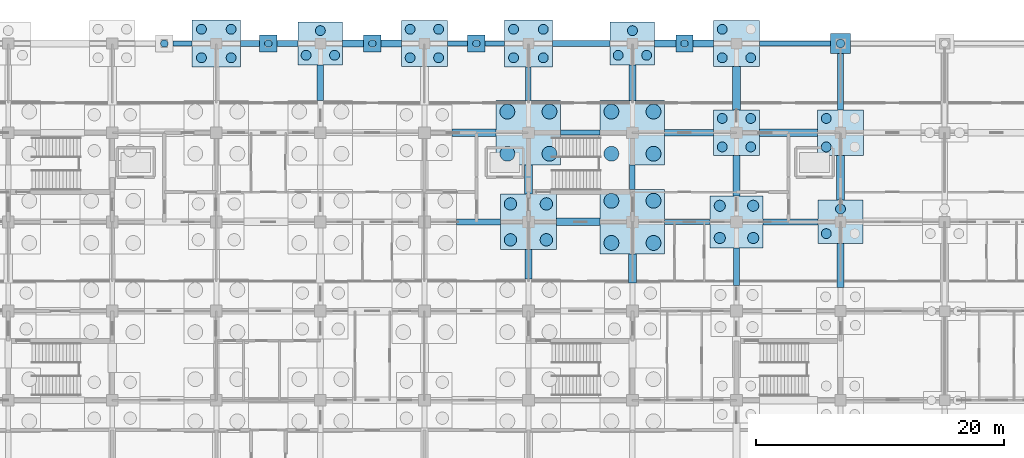
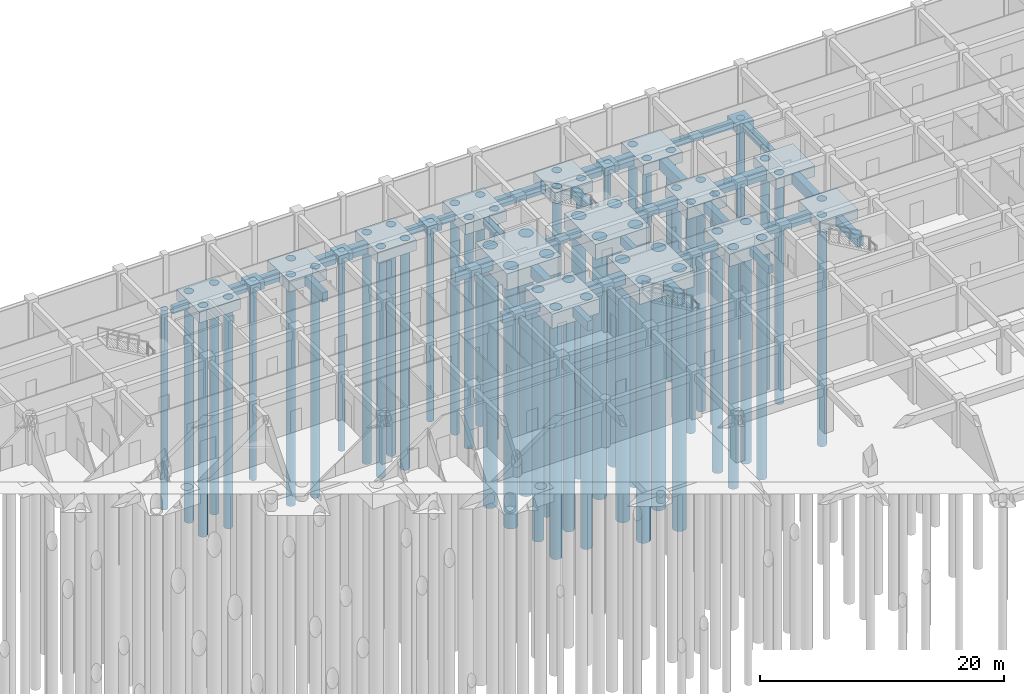
# One storey, part 12 of 85: 55 piles, 51 footings.
"""IFC4 building model written with IfcOpenShell, lengths in metres."""

import ifcopenshell
import ifcopenshell.guid

model = None  # the IFC model being written
_history = None  # IfcOwnerHistory: only IFC2X3 demands one
_inside = {}  # id of a spatial element -> (the spatial element, [elements in it])
_under = {}  # id of a project, library or spatial element -> (it, [spatial elements below it])
_declared = {}  # id of a project -> (the project, [libraries it declares])
_typed = {}  # id of a type object -> (the type object, [elements of that type])
_made_of = {}  # id of a material, layer set ... -> (it, [elements and type objects made of it])


def new_model(schema):
    """Start an empty IFC model of exactly this schema.

    Asked for "IFC4X3", IfcOpenShell would pick the latest addendum, in which some entities
    have other attributes; the version numbers below select the first issue.
    IFC2X3 requires an IfcOwnerHistory on every rooted entity: one is made here for all.
    """
    global model, _history
    if schema == "IFC4X3":
        model = ifcopenshell.file(schema_version=(4, 3, 0, 0))
    else:
        model = ifcopenshell.file(schema=schema)
    _inside.clear()
    _under.clear()
    _declared.clear()
    _typed.clear()
    _made_of.clear()
    _history = None
    if model.schema == "IFC2X3":
        org = make("IfcOrganization", Name="unknown")
        user = make(
            "IfcPersonAndOrganization",
            ThePerson=make("IfcPerson", FamilyName="unknown"),
            TheOrganization=org,
        )
        app = make(
            "IfcApplication",
            ApplicationDeveloper=org,
            Version="unknown",
            ApplicationFullName="unknown",
            ApplicationIdentifier="unknown",
        )
        _history = make(
            "IfcOwnerHistory",
            OwningUser=user,
            OwningApplication=app,
            ChangeAction="ADDED",
            CreationDate=0,
        )
    return model


def make(cls, **values):
    """One entity of the class cls with the attributes given. An attribute that is None is left unset."""
    return model.create_entity(
        cls, **{name: value for name, value in values.items() if value is not None}
    )


def rooted(cls, **values):
    """An entity with a GlobalId (a new one), such as an element, a storey or a relation."""
    return make(cls, GlobalId=ifcopenshell.guid.new(), OwnerHistory=_history, **values)


def si_unit(unit_type, name, prefix=None):
    """IfcSIUnit, for example si_unit("LENGTHUNIT", "METRE", prefix="MILLI")."""
    return make("IfcSIUnit", UnitType=unit_type, Prefix=prefix, Name=name)


def assignment(units):
    """IfcUnitAssignment: the units of a project."""
    return None if units is None else make("IfcUnitAssignment", Units=units)


def point(xyz):
    """IfcCartesianPoint."""
    return None if xyz is None else make("IfcCartesianPoint", Coordinates=xyz)


def direction(xyz):
    """IfcDirection."""
    return None if xyz is None else make("IfcDirection", DirectionRatios=xyz)


def frame(location, z_axis=None, x_axis=None):
    """IfcAxis2Placement3D, a coordinate frame: its origin and axes. An axis left out is left unset."""
    return make(
        "IfcAxis2Placement3D",
        Location=point(location),
        Axis=direction(z_axis),
        RefDirection=direction(x_axis),
    )


def frame_2d(location, x_axis=None):
    """IfcAxis2Placement2D, a coordinate frame in the plane: its origin and x axis."""
    return make(
        "IfcAxis2Placement2D", Location=point(location), RefDirection=direction(x_axis)
    )


def origin():
    """The frame at (0, 0, 0) with its axes left unset."""
    return frame((0.0, 0.0, 0.0))


def origin_2d():
    """The frame at (0, 0) in the plane with its x axis left unset."""
    return frame_2d((0.0, 0.0))


def place(relative_to, where):
    """IfcLocalPlacement: puts the frame where relative to a parent placement (None: the world)."""
    return make(
        "IfcLocalPlacement", PlacementRelTo=relative_to, RelativePlacement=where
    )


def context(
    kind, dimensions, precision=None, world=None, true_north=None, identifier=None
):
    """IfcGeometricRepresentationContext, for example the 3D "Model" context."""
    return make(
        "IfcGeometricRepresentationContext",
        ContextIdentifier=identifier,
        ContextType=kind,
        CoordinateSpaceDimension=dimensions,
        Precision=precision,
        WorldCoordinateSystem=world,
        TrueNorth=true_north,
    )


def subcontext(parent, identifier, kind, view, scale=None):
    """IfcGeometricRepresentationSubContext, for example "Body" below "Model"."""
    return make(
        "IfcGeometricRepresentationSubContext",
        ContextIdentifier=identifier,
        ContextType=kind,
        ParentContext=parent,
        TargetScale=scale,
        TargetView=view,
    )


def project(units=None, contexts=None):
    """IfcProject with its units and contexts."""
    return rooted(
        "IfcProject",
        Name="project",
        RepresentationContexts=contexts,
        UnitsInContext=assignment(units),
    )


def spatial(cls, under=None, at=None, **own):
    """A site, building, storey or space (cls), placed at a placement, below another one or the project."""
    s = rooted(cls, ObjectPlacement=at, **own)
    if under is not None:
        _under.setdefault(under.id(), (under, []))[1].append(s)
    return s


def profile(cls, at=None, kind="AREA", **sizes):
    """A parametric profile (cls). Its sizes go by their IFC names, for example OverallWidth=200.0."""
    return make(cls, ProfileType=kind, Position=at, **sizes)


def rectangle(**sizes):
    """IfcRectangleProfileDef."""
    return profile("IfcRectangleProfileDef", **sizes)


def circle(**sizes):
    """IfcCircleProfileDef."""
    return profile("IfcCircleProfileDef", **sizes)


def extrude(swept, where, along, depth):
    """IfcExtrudedAreaSolid: the profile swept, set in the frame where, extruded along a direction by depth."""
    return make(
        "IfcExtrudedAreaSolid",
        SweptArea=swept,
        Position=where,
        ExtrudedDirection=direction(along),
        Depth=depth,
    )


def shape(context_of_items, identifier, shape_type, items):
    """IfcShapeRepresentation: the items that make up one representation, for example the "Body"."""
    return make(
        "IfcShapeRepresentation",
        ContextOfItems=context_of_items,
        RepresentationIdentifier=identifier,
        RepresentationType=shape_type,
        Items=items,
    )


def material(Name=None, Category=None):
    """IfcMaterial."""
    return make("IfcMaterial", Name=Name, Category=Category)


def material_profile(
    of_material, cross_section, Name=None, Category=None, Priority=None
):
    """IfcMaterialProfile: a cross section and its material."""
    return make(
        "IfcMaterialProfile",
        Name=Name,
        Material=of_material,
        Profile=cross_section,
        Priority=Priority,
        Category=Category,
    )


def profile_set(profiles, Name=None, composite=None):
    """IfcMaterialProfileSet."""
    return make(
        "IfcMaterialProfileSet",
        Name=Name,
        MaterialProfiles=profiles,
        CompositeProfile=composite,
    )


def made_of(thing, what):
    """Note that an element or type object is made of a material, layer set ...; save() writes the relation."""
    if what is not None:
        _made_of.setdefault(what.id(), (what, []))[1].append(thing)
    return thing


def type_object(cls, material=None, **own):
    """A type object (cls), such as IfcWallType, which elements share."""
    return made_of(rooted(cls, **own), material)


def element(
    cls,
    number,
    at=None,
    inside=None,
    cuts=None,
    type_object=None,
    material=None,
    context=None,
    identifier="Body",
    shape_type=None,
    held_by="IfcProductDefinitionShape",
    body=None,
    shapes=None,
    **own,
):
    """One element of the class cls, such as IfcWall. Its Tag is "e" and its number.

    at: its placement. inside: the storey or other place that contains it. cuts: it is an
    opening in that element (IfcRelVoidsElement). A single representation is given by context,
    identifier, shape_type and body (its items); several are given by shapes. held_by: the class
    of the entity that holds the representations. save() writes the other relations.
    """
    e = rooted(cls, Tag="e%d" % number, ObjectPlacement=at, **own)
    if body is not None:
        shapes = [shape(context, identifier, shape_type, body)]
    if shapes is not None:
        e.Representation = make(held_by, Representations=shapes)
    if inside is not None:
        _inside.setdefault(inside.id(), (inside, []))[1].append(e)
    if cuts is not None:
        rooted(
            "IfcRelVoidsElement", RelatingBuildingElement=cuts, RelatedOpeningElement=e
        )
    if type_object is not None:
        _typed.setdefault(type_object.id(), (type_object, []))[1].append(e)
    return made_of(e, material)


def aggregate(whole, parts):
    """IfcRelAggregates: a whole, such as a stair, and the parts it consists of."""
    return rooted("IfcRelAggregates", RelatingObject=whole, RelatedObjects=parts)


def save(model, path):
    """Write the relations noted so far, then the file.

    IfcRelAggregates (storeys below a building ...), IfcRelContainedInSpatialStructure (elements
    in a storey), IfcRelDefinesByType, IfcRelAssociatesMaterial and IfcRelDeclares: one each for
    every whole, place, type object, material and project.
    """
    for whole, parts in _under.values():
        aggregate(whole, parts)
    for where, things in _inside.values():
        rooted(
            "IfcRelContainedInSpatialStructure",
            RelatedElements=things,
            RelatingStructure=where,
        )
    for kind, things in _typed.values():
        rooted("IfcRelDefinesByType", RelatedObjects=things, RelatingType=kind)
    for what, things in _made_of.values():
        rooted("IfcRelAssociatesMaterial", RelatedObjects=things, RelatingMaterial=what)
    for by, libraries in _declared.values():
        rooted("IfcRelDeclares", RelatingContext=by, RelatedDefinitions=libraries)
    model.write(path)


model = new_model("IFC4")

# Units and contexts
model_context = context("Model", 3, precision=1e-05, world=origin(), true_north=direction((0.0, 1.0)))
body_context = subcontext(model_context, "Body", "Model", "MODEL_VIEW")
ifc_project = project(units=[si_unit("LENGTHUNIT", "METRE"), si_unit("AREAUNIT", "SQUARE_METRE"), si_unit("VOLUMEUNIT", "CUBIC_METRE"), si_unit("PLANEANGLEUNIT", "RADIAN"), si_unit("MASSUNIT", "GRAM", prefix="KILO")], contexts=[model_context])

# Site, building, storey
site_placement = place(None, origin())
site = spatial("IfcSite", under=ifc_project, at=site_placement, CompositionType="ELEMENT")
building_placement = place(site_placement, origin())
building = spatial("IfcBuilding", under=site, at=building_placement, Name="Chengyuan Square Courthouse", CompositionType="ELEMENT")
storey_placement = place(building_placement, frame((0.0, 0.0, -10.199951171875)))
storey = spatial("IfcBuildingStorey", under=building, at=storey_placement, Name="B02", CompositionType="ELEMENT", Elevation=-10.199951171875)

# Footings
ifc_material = material(Name="Concrete C40", Category="concrete")
ifc_material_profile_1 = material_profile(ifc_material, rectangle(XDim=0.39990234375, YDim=0.699951171875, at=origin_2d()), Name="GB-400x700")
ifc_profile_set_1 = profile_set([ifc_material_profile_1], Name="Concrete C40")
footing_type_1 = type_object("IfcFootingType", Name="GB-01", PredefinedType="FOOTING_BEAM", material=ifc_profile_set_1)
footing_1_placement = place(storey_placement, frame((111.800048828125, 100.800048828125, -1.150146484375), z_axis=(1.0, 0.0, 0.0), x_axis=(0.0, 1.0, 0.0)))
element("IfcFooting", 1, at=footing_1_placement, inside=storey, type_object=footing_type_1, Name="Ground Tie Beam GB-B02-0294", PredefinedType="FOOTING_BEAM", context=body_context, shape_type="SweptSolid", body=[
    extrude(rectangle(XDim=0.39990234375, YDim=0.699951171875, at=origin_2d()), origin(), (0.0, 0.0, 1.0), 3.64990234375),
])
footing_2_placement = place(storey_placement, frame((103.39990234375, 108.0, -1.150146484375), z_axis=(1.0, 0.0, 0.0), x_axis=(0.0, 1.0, 0.0)))
element("IfcFooting", 2, at=footing_2_placement, inside=storey, type_object=footing_type_1, Name="Ground Tie Beam GB-B02-0313", PredefinedType="FOOTING_BEAM", context=body_context, shape_type="SweptSolid", body=[
    extrude(rectangle(XDim=0.39990234375, YDim=0.699951171875, at=origin_2d()), origin(), (0.0, 0.0, 1.0), 3.2001953125),
])
footing_3_placement = place(storey_placement, frame((72.10009765625, 115.199951171875, -1.150146484375), z_axis=(1.0, 0.0, 0.0), x_axis=(0.0, 1.0, 0.0)))
element("IfcFooting", 3, at=footing_3_placement, inside=storey, type_object=footing_type_1, Name="Ground Tie Beam GB-B02-0331", PredefinedType="FOOTING_BEAM", context=body_context, shape_type="SweptSolid", body=[
    extrude(rectangle(XDim=0.39990234375, YDim=0.699951171875, at=origin_2d()), origin(), (0.0, 0.0, 1.0), 1.5498046875),
])
footing_4_placement = place(storey_placement, frame((94.25, 115.199951171875, -1.150146484375), z_axis=(1.0, 0.0, 0.0), x_axis=(0.0, 1.0, 0.0)))
element("IfcFooting", 4, at=footing_4_placement, inside=storey, type_object=footing_type_1, Name="Ground Tie Beam GB-B02-0336", PredefinedType="FOOTING_BEAM", context=body_context, shape_type="SweptSolid", body=[
    extrude(rectangle(XDim=0.39990234375, YDim=0.699951171875, at=origin_2d()), origin(), (0.0, 0.0, 1.0), 1.64990234375),
])
footing_5_placement = place(storey_placement, frame((97.300048828125, 115.199951171875, -1.150146484375), z_axis=(1.0, 0.0, 0.0), x_axis=(0.0, 1.0, 0.0)))
element("IfcFooting", 5, at=footing_5_placement, inside=storey, type_object=footing_type_1, Name="Ground Tie Beam GB-B02-0337", PredefinedType="FOOTING_BEAM", context=body_context, shape_type="SweptSolid", body=[
    extrude(rectangle(XDim=0.39990234375, YDim=0.699951171875, at=origin_2d()), origin(), (0.0, 0.0, 1.0), 1.550048828125),
])
footing_6_placement = place(storey_placement, frame((119.449951171875, 115.199951171875, -1.150146484375), z_axis=(1.0, 0.0, 0.0), x_axis=(0.0, 1.0, 0.0)))
element("IfcFooting", 6, at=footing_6_placement, inside=storey, type_object=footing_type_1, Name="Ground Tie Beam GB-B02-0341", PredefinedType="FOOTING_BEAM", context=body_context, shape_type="SweptSolid", body=[
    extrude(rectangle(XDim=0.39990234375, YDim=0.699951171875, at=origin_2d()), origin(), (0.0, 0.0, 1.0), 5.75),
])
ifc_material_profile_2 = material_profile(ifc_material, rectangle(XDim=0.449951171875, YDim=0.800048828125, at=origin_2d()), Name="GB-450x800")
ifc_profile_set_2 = profile_set([ifc_material_profile_2], Name="Concrete C40")
footing_type_2 = type_object("IfcFootingType", Name="GB-02", PredefinedType="FOOTING_BEAM", material=ifc_profile_set_2)
footing_7_placement = place(storey_placement, frame((100.800048828125, 110.60009765625, -1.199951171875), z_axis=(0.0, 1.0, 0.0), x_axis=(-1.0, 0.0, 0.0)))
element("IfcFooting", 7, at=footing_7_placement, inside=storey, type_object=footing_type_2, Name="Ground Tie Beam GB-B02-0554", PredefinedType="FOOTING_BEAM", context=body_context, shape_type="SweptSolid", body=[
    extrude(rectangle(XDim=0.449951171875, YDim=0.800048828125, at=origin_2d()), origin(), (0.0, 0.0, 1.0), 2.699951171875),
])
footing_8_placement = place(storey_placement, frame((109.199951171875, 103.39990234375, -1.199951171875), z_axis=(0.0, 1.0, 0.0), x_axis=(-1.0, 0.0, 0.0)))
element("IfcFooting", 8, at=footing_8_placement, inside=storey, type_object=footing_type_2, Name="Ground Tie Beam GB-B02-0569", PredefinedType="FOOTING_BEAM", context=body_context, shape_type="SweptSolid", body=[
    extrude(rectangle(XDim=0.449951171875, YDim=0.800048828125, at=origin_2d()), origin(), (0.0, 0.0, 1.0), 2.0),
])
footing_9_placement = place(storey_placement, frame((117.60009765625, 95.64990234375, -1.199951171875), z_axis=(0.0, 1.0, 0.0), x_axis=(-1.0, 0.0, 0.0)))
element("IfcFooting", 9, at=footing_9_placement, inside=storey, type_object=footing_type_2, Name="Ground Tie Beam GB-B02-0584", PredefinedType="FOOTING_BEAM", context=body_context, shape_type="SweptSolid", body=[
    extrude(rectangle(XDim=0.449951171875, YDim=0.800048828125, at=origin_2d()), origin(), (0.0, 0.0, 1.0), 3.050048828125),
])
footing_10_placement = place(storey_placement, frame((126.0, 109.85009765625, -1.199951171875), z_axis=(0.0, 1.0, 0.0), x_axis=(-1.0, 0.0, 0.0)))
element("IfcFooting", 10, at=footing_10_placement, inside=storey, type_object=footing_type_2, Name="Ground Tie Beam GB-B02-0602", PredefinedType="FOOTING_BEAM", context=body_context, shape_type="SweptSolid", body=[
    extrude(rectangle(XDim=0.449951171875, YDim=0.800048828125, at=origin_2d()), origin(), (0.0, 0.0, 1.0), 4.5498046875),
])
ifc_material_profile_3 = material_profile(ifc_material, rectangle(XDim=0.5, YDim=0.89990234375, at=origin_2d()), Name="GB-500x900")
ifc_profile_set_3 = profile_set([ifc_material_profile_3], Name="Concrete C40")
footing_type_3 = type_object("IfcFootingType", Name="GB-03", PredefinedType="FOOTING_BEAM", material=ifc_profile_set_3)
footing_11_placement = place(storey_placement, frame((95.0, 100.800048828125, -1.25), z_axis=(1.0, 0.0, 0.0), x_axis=(0.0, 1.0, 0.0)))
element("IfcFooting", 11, at=footing_11_placement, inside=storey, type_object=footing_type_3, Name="Ground Tie Beam GB-B02-0292", PredefinedType="FOOTING_BEAM", context=body_context, shape_type="SweptSolid", body=[
    extrude(rectangle(XDim=0.5, YDim=0.89990234375, at=origin_2d()), origin(), (0.0, 0.0, 1.0), 3.550048828125),
])
footing_12_placement = place(storey_placement, frame((119.75, 100.800048828125, -1.25), z_axis=(1.0, 0.0, 0.0), x_axis=(0.0, 1.0, 0.0)))
element("IfcFooting", 12, at=footing_12_placement, inside=storey, type_object=footing_type_3, Name="Ground Tie Beam GB-B02-0295", PredefinedType="FOOTING_BEAM", context=body_context, shape_type="SweptSolid", body=[
    extrude(rectangle(XDim=0.5, YDim=0.89990234375, at=origin_2d()), origin(), (0.0, 0.0, 1.0), 4.449951171875),
])
footing_13_placement = place(storey_placement, frame((111.800048828125, 108.0, -1.25), z_axis=(1.0, 0.0, 0.0), x_axis=(0.0, 1.0, 0.0)))
element("IfcFooting", 13, at=footing_13_placement, inside=storey, type_object=footing_type_3, Name="Ground Tie Beam GB-B02-0314", PredefinedType="FOOTING_BEAM", context=body_context, shape_type="SweptSolid", body=[
    extrude(rectangle(XDim=0.5, YDim=0.89990234375, at=origin_2d()), origin(), (0.0, 0.0, 1.0), 3.949951171875),
])
footing_14_placement = place(storey_placement, frame((77.550048828125, 115.199951171875, -1.25), z_axis=(1.0, 0.0, 0.0), x_axis=(0.0, 1.0, 0.0)))
element("IfcFooting", 14, at=footing_14_placement, inside=storey, type_object=footing_type_3, Name="Ground Tie Beam GB-B02-0332", PredefinedType="FOOTING_BEAM", context=body_context, shape_type="SweptSolid", body=[
    extrude(rectangle(XDim=0.5, YDim=0.89990234375, at=origin_2d()), origin(), (0.0, 0.0, 1.0), 1.550048828125),
])
footing_15_placement = place(storey_placement, frame((80.5, 115.199951171875, -1.25), z_axis=(1.0, 0.0, 0.0), x_axis=(0.0, 1.0, 0.0)))
element("IfcFooting", 15, at=footing_15_placement, inside=storey, type_object=footing_type_3, Name="Ground Tie Beam GB-B02-0333", PredefinedType="FOOTING_BEAM", context=body_context, shape_type="SweptSolid", body=[
    extrude(rectangle(XDim=0.5, YDim=0.89990234375, at=origin_2d()), origin(), (0.0, 0.0, 1.0), 1.699951171875),
])
footing_16_placement = place(storey_placement, frame((102.75, 115.199951171875, -1.25), z_axis=(1.0, 0.0, 0.0), x_axis=(0.0, 1.0, 0.0)))
element("IfcFooting", 16, at=footing_16_placement, inside=storey, type_object=footing_type_3, Name="Ground Tie Beam GB-B02-0338", PredefinedType="FOOTING_BEAM", context=body_context, shape_type="SweptSolid", body=[
    extrude(rectangle(XDim=0.5, YDim=0.89990234375, at=origin_2d()), origin(), (0.0, 0.0, 1.0), 4.64990234375),
])
ifc_material_profile_4 = material_profile(ifc_material, rectangle(XDim=0.550048828125, YDim=0.949951171875, at=origin_2d()), Name="GB-550x950")
ifc_profile_set_4 = profile_set([ifc_material_profile_4], Name="Concrete C40")
footing_type_4 = type_object("IfcFootingType", Name="GB-04", PredefinedType="FOOTING_BEAM", material=ifc_profile_set_4)
footing_17_placement = place(storey_placement, frame((84.0, 110.60009765625, -1.275146484375), z_axis=(0.0, 1.0, 0.0), x_axis=(-1.0, 0.0, 0.0)))
element("IfcFooting", 17, at=footing_17_placement, inside=storey, type_object=footing_type_4, Name="Ground Tie Beam GB-B02-0522", PredefinedType="FOOTING_BEAM", context=body_context, shape_type="SweptSolid", body=[
    extrude(rectangle(XDim=0.550048828125, YDim=0.949951171875, at=origin_2d()), origin(), (0.0, 0.0, 1.0), 2.849853515625),
])
footing_18_placement = place(storey_placement, frame((100.800048828125, 96.199951171875, -1.275146484375), z_axis=(0.0, 1.0, 0.0), x_axis=(-1.0, 0.0, 0.0)))
element("IfcFooting", 18, at=footing_18_placement, inside=storey, type_object=footing_type_4, Name="Ground Tie Beam GB-B02-0552", PredefinedType="FOOTING_BEAM", context=body_context, shape_type="SweptSolid", body=[
    extrude(rectangle(XDim=0.550048828125, YDim=0.949951171875, at=origin_2d()), origin(), (0.0, 0.0, 1.0), 2.35009765625),
])
footing_19_placement = place(storey_placement, frame((109.199951171875, 110.60009765625, -1.275146484375), z_axis=(0.0, 1.0, 0.0), x_axis=(-1.0, 0.0, 0.0)))
element("IfcFooting", 19, at=footing_19_placement, inside=storey, type_object=footing_type_4, Name="Ground Tie Beam GB-B02-0570", PredefinedType="FOOTING_BEAM", context=body_context, shape_type="SweptSolid", body=[
    extrude(rectangle(XDim=0.550048828125, YDim=0.949951171875, at=origin_2d()), origin(), (0.0, 0.0, 1.0), 2.849853515625),
])
footing_20_placement = place(storey_placement, frame((117.60009765625, 102.89990234375, -1.275146484375), z_axis=(0.0, 1.0, 0.0), x_axis=(-1.0, 0.0, 0.0)))
element("IfcFooting", 20, at=footing_20_placement, inside=storey, type_object=footing_type_4, Name="Ground Tie Beam GB-B02-0585", PredefinedType="FOOTING_BEAM", context=body_context, shape_type="SweptSolid", body=[
    extrude(rectangle(XDim=0.550048828125, YDim=0.949951171875, at=origin_2d()), origin(), (0.0, 0.0, 1.0), 3.25),
])
footing_21_placement = place(storey_placement, frame((126.0, 95.5, -1.275146484375), z_axis=(0.0, 1.0, 0.0), x_axis=(-1.0, 0.0, 0.0)))
element("IfcFooting", 21, at=footing_21_placement, inside=storey, type_object=footing_type_4, Name="Ground Tie Beam GB-B02-0600", PredefinedType="FOOTING_BEAM", context=body_context, shape_type="SweptSolid", body=[
    extrude(rectangle(XDim=0.550048828125, YDim=0.949951171875, at=origin_2d()), origin(), (0.0, 0.0, 1.0), 3.550048828125),
])
ifc_material_profile_5 = material_profile(ifc_material, rectangle(XDim=0.60009765625, YDim=1.0, at=origin_2d()), Name="GB-600x1000")
ifc_profile_set_5 = profile_set([ifc_material_profile_5], Name="Concrete C40")
footing_type_5 = type_object("IfcFootingType", Name="GB-05", PredefinedType="FOOTING_BEAM", material=ifc_profile_set_5)
for number, where, z_axis, x_axis, name in (
    (22, (103.050048828125, 100.800048828125, -1.300048828125), (1.0, 0.0, 0.0), (0.0, 1.0, 0.0), "Ground Tie Beam GB-B02-0293"),
    (23, (94.64990234375, 108.0, -1.300048828125), (1.0, 0.0, 0.0), (0.0, 1.0, 0.0), "Ground Tie Beam GB-B02-0312"),
):
    element("IfcFooting", number, at=place(storey_placement, frame(where, z_axis=z_axis, x_axis=x_axis)), inside=storey, type_object=footing_type_5, Name=name, PredefinedType="FOOTING_BEAM", context=body_context, shape_type="SweptSolid", body=[
        extrude(rectangle(XDim=0.60009765625, YDim=1.0, at=origin_2d()), origin(), (0.0, 0.0, 1.0), 3.550048828125),
    ])
footing_22_placement = place(storey_placement, frame((119.449951171875, 108.0, -1.300048828125), z_axis=(1.0, 0.0, 0.0), x_axis=(0.0, 1.0, 0.0)))
element("IfcFooting", 24, at=footing_22_placement, inside=storey, type_object=footing_type_5, Name="Ground Tie Beam GB-B02-0315", PredefinedType="FOOTING_BEAM", context=body_context, shape_type="SweptSolid", body=[
    extrude(rectangle(XDim=0.60009765625, YDim=1.0, at=origin_2d()), origin(), (0.0, 0.0, 1.0), 4.699951171875),
])
footing_23_placement = place(storey_placement, frame((85.800048828125, 115.199951171875, -1.300048828125), z_axis=(1.0, 0.0, 0.0), x_axis=(0.0, 1.0, 0.0)))
element("IfcFooting", 25, at=footing_23_placement, inside=storey, type_object=footing_type_5, Name="Ground Tie Beam GB-B02-0334", PredefinedType="FOOTING_BEAM", context=body_context, shape_type="SweptSolid", body=[
    extrude(rectangle(XDim=0.60009765625, YDim=1.0, at=origin_2d()), origin(), (0.0, 0.0, 1.0), 1.699951171875),
])
footing_24_placement = place(storey_placement, frame((88.89990234375, 115.199951171875, -1.300048828125), z_axis=(1.0, 0.0, 0.0), x_axis=(0.0, 1.0, 0.0)))
element("IfcFooting", 26, at=footing_24_placement, inside=storey, type_object=footing_type_5, Name="Ground Tie Beam GB-B02-0335", PredefinedType="FOOTING_BEAM", context=body_context, shape_type="SweptSolid", body=[
    extrude(rectangle(XDim=0.60009765625, YDim=1.0, at=origin_2d()), origin(), (0.0, 0.0, 1.0), 1.650146484375),
])
footing_25_placement = place(storey_placement, frame((111.0, 115.199951171875, -1.300048828125), z_axis=(1.0, 0.0, 0.0), x_axis=(0.0, 1.0, 0.0)))
element("IfcFooting", 27, at=footing_25_placement, inside=storey, type_object=footing_type_5, Name="Ground Tie Beam GB-B02-0339", PredefinedType="FOOTING_BEAM", context=body_context, shape_type="SweptSolid", body=[
    extrude(rectangle(XDim=0.60009765625, YDim=1.0, at=origin_2d()), origin(), (0.0, 0.0, 1.0), 1.699951171875),
])
footing_26_placement = place(storey_placement, frame((114.10009765625, 115.199951171875, -1.300048828125), z_axis=(1.0, 0.0, 0.0), x_axis=(0.0, 1.0, 0.0)))
element("IfcFooting", 28, at=footing_26_placement, inside=storey, type_object=footing_type_5, Name="Ground Tie Beam GB-B02-0340", PredefinedType="FOOTING_BEAM", context=body_context, shape_type="SweptSolid", body=[
    extrude(rectangle(XDim=0.60009765625, YDim=1.0, at=origin_2d()), origin(), (0.0, 0.0, 1.0), 1.64990234375),
])
ifc_material_profile_6 = material_profile(ifc_material, rectangle(XDim=0.64990234375, YDim=1.10009765625, at=origin_2d()), Name="GB-650x1100")
ifc_profile_set_6 = profile_set([ifc_material_profile_6], Name="Concrete C40")
footing_type_6 = type_object("IfcFootingType", Name="GB-06", PredefinedType="FOOTING_BEAM", material=ifc_profile_set_6)
for number, where, z_axis, x_axis, name in (
    (29, (100.800048828125, 103.050048828125, -1.35009765625), (0.0, 1.0, 0.0), (-1.0, 0.0, 0.0), "Ground Tie Beam GB-B02-0553"),
    (30, (109.199951171875, 95.85009765625, -1.35009765625), (0.0, 1.0, 0.0), (-1.0, 0.0, 0.0), "Ground Tie Beam GB-B02-0568"),
):
    element("IfcFooting", number, at=place(storey_placement, frame(where, z_axis=z_axis, x_axis=x_axis)), inside=storey, type_object=footing_type_6, Name=name, PredefinedType="FOOTING_BEAM", context=body_context, shape_type="SweptSolid", body=[
        extrude(rectangle(XDim=0.64990234375, YDim=1.10009765625, at=origin_2d()), origin(), (0.0, 0.0, 1.0), 2.349853515625),
    ])
footing_27_placement = place(storey_placement, frame((117.60009765625, 109.85009765625, -1.35009765625), z_axis=(0.0, 1.0, 0.0), x_axis=(-1.0, 0.0, 0.0)))
element("IfcFooting", 31, at=footing_27_placement, inside=storey, type_object=footing_type_6, Name="Ground Tie Beam GB-B02-0586", PredefinedType="FOOTING_BEAM", context=body_context, shape_type="SweptSolid", body=[
    extrude(rectangle(XDim=0.64990234375, YDim=1.10009765625, at=origin_2d()), origin(), (0.0, 0.0, 1.0), 3.5),
])
footing_28_placement = place(storey_placement, frame((126.0, 102.550048828125, -1.35009765625), z_axis=(0.0, 1.0, 0.0), x_axis=(-1.0, 0.0, 0.0)))
element("IfcFooting", 32, at=footing_28_placement, inside=storey, type_object=footing_type_6, Name="Ground Tie Beam GB-B02-0601", PredefinedType="FOOTING_BEAM", context=body_context, shape_type="SweptSolid", body=[
    extrude(rectangle(XDim=0.64990234375, YDim=1.10009765625, at=origin_2d()), origin(), (0.0, 0.0, 1.0), 3.599853515625),
])
footing_type_7 = type_object("IfcFootingType", Name="PC-01", PredefinedType="PILE_CAP", material=ifc_material)
for number, where, z_axis, x_axis, name in (
    (33, (100.800048828125, 108.0, -2.449951171875), (0.0, 0.0, 1.0), (1.0, 0.0, 0.0), "Pile Cap PC-B02-220"),
    (34, (109.199951171875, 100.800048828125, -2.449951171875), (0.0, 0.0, 1.0), (1.0, 0.0, 0.0), "Pile Cap PC-B02-236"),
):
    element("IfcFooting", number, at=place(storey_placement, frame(where, z_axis=z_axis, x_axis=x_axis)), inside=storey, type_object=footing_type_7, Name=name, PredefinedType="PILE_CAP", context=body_context, shape_type="SweptSolid", body=[
        extrude(rectangle(XDim=5.199951171875, YDim=5.199951171875, at=origin_2d()), origin(), (0.0, 0.0, 1.0), 1.64990234375),
    ])
footing_type_8 = type_object("IfcFootingType", Name="PC-02", PredefinedType="PILE_CAP", material=ifc_material)
footing_29_placement = place(storey_placement, frame((109.199951171875, 108.0, -2.300048828125), z_axis=(0.0, 0.0, 1.0), x_axis=(1.0, 0.0, 0.0)))
element("IfcFooting", 35, at=footing_29_placement, inside=storey, type_object=footing_type_8, Name="Pile Cap PC-B02-237", PredefinedType="PILE_CAP", context=body_context, shape_type="SweptSolid", body=[
    extrude(rectangle(XDim=5.199951171875, YDim=5.199951171875, at=origin_2d()), origin(), (0.0, 0.0, 1.0), 1.5),
])
footing_type_9 = type_object("IfcFootingType", Name="PC-03", PredefinedType="PILE_CAP", material=ifc_material)
footing_30_placement = place(storey_placement, frame((100.800048828125, 100.800048828125, -2.25), z_axis=(0.0, 0.0, 1.0), x_axis=(1.0, 0.0, 0.0)))
element("IfcFooting", 36, at=footing_30_placement, inside=storey, type_object=footing_type_9, Name="Pile Cap PC-B02-219", PredefinedType="PILE_CAP", context=body_context, shape_type="SweptSolid", body=[
    extrude(rectangle(XDim=4.5, YDim=4.5, at=origin_2d()), origin(), (0.0, 0.0, 1.0), 1.449951171875),
])
footing_type_10 = type_object("IfcFootingType", Name="PC-08", PredefinedType="PILE_CAP", material=ifc_material)
footing_31_placement = place(storey_placement, frame((117.60009765625, 100.800048828125, -2.050048828125), z_axis=(0.0, 0.0, 1.0), x_axis=(1.0, 0.0, 0.0)))
element("IfcFooting", 37, at=footing_31_placement, inside=storey, type_object=footing_type_10, Name="Pile Cap PC-B02-253", PredefinedType="PILE_CAP", context=body_context, shape_type="SweptSolid", body=[
    extrude(rectangle(XDim=4.300048828125, YDim=4.199951171875, at=origin_2d()), origin(), (0.0, 0.0, 1.0), 1.25),
])
footing_type_11 = type_object("IfcFootingType", Name="PC-09", PredefinedType="PILE_CAP", material=ifc_material)
footing_32_placement = place(storey_placement, frame((117.60009765625, 108.0, -1.949951171875), z_axis=(0.0, 0.0, 1.0), x_axis=(1.0, 0.0, 0.0)))
element("IfcFooting", 38, at=footing_32_placement, inside=storey, type_object=footing_type_11, Name="Pile Cap PC-B02-254", PredefinedType="PILE_CAP", context=body_context, shape_type="SweptSolid", body=[
    extrude(rectangle(XDim=3.699951171875, YDim=3.699951171875, at=origin_2d()), origin(), (0.0, 0.0, 1.0), 1.14990234375),
])
footing_type_12 = type_object("IfcFootingType", Name="PC-10", PredefinedType="PILE_CAP", material=ifc_material)
for number, where, z_axis, x_axis, name in (
    (39, (92.39990234375, 115.199951171875, -1.85009765625), (0.0, 0.0, 1.0), (1.0, 0.0, 0.0), "Pile Cap PC-B02-204"),
    (40, (117.60009765625, 115.199951171875, -1.85009765625), (0.0, 0.0, 1.0), (1.0, 0.0, 0.0), "Pile Cap PC-B02-255"),
    (41, (126.0, 108.0, -1.85009765625), (0.0, 0.0, 1.0), (1.0, 0.0, 0.0), "Pile Cap PC-B02-271"),
):
    element("IfcFooting", number, at=place(storey_placement, frame(where, z_axis=z_axis, x_axis=x_axis)), inside=storey, type_object=footing_type_12, Name=name, PredefinedType="PILE_CAP", context=body_context, shape_type="SweptSolid", body=[
        extrude(rectangle(XDim=3.699951171875, YDim=3.699951171875, at=origin_2d()), origin(), (0.0, 0.0, 1.0), 1.050048828125),
    ])
footing_type_13 = type_object("IfcFootingType", Name="PC-11", PredefinedType="PILE_CAP", material=ifc_material)
for number, where, z_axis, x_axis, name in (
    (42, (75.60009765625, 115.199951171875, -1.900146484375), (0.0, 0.0, 1.0), (1.0, 0.0, 0.0), "Pile Cap PC-B02-170"),
    (43, (100.800048828125, 115.199951171875, -1.900146484375), (0.0, 0.0, 1.0), (1.0, 0.0, 0.0), "Pile Cap PC-B02-221"),
):
    element("IfcFooting", number, at=place(storey_placement, frame(where, z_axis=z_axis, x_axis=x_axis)), inside=storey, type_object=footing_type_13, Name=name, PredefinedType="PILE_CAP", context=body_context, shape_type="SweptSolid", body=[
        extrude(rectangle(XDim=3.89990234375, YDim=3.800048828125, at=origin_2d()), origin(), (0.0, 0.0, 1.0), 1.10009765625),
    ])
footing_type_14 = type_object("IfcFootingType", Name="PC-12", PredefinedType="PILE_CAP", material=ifc_material)
for number, where, z_axis, x_axis, name in (
    (44, (84.0, 115.199951171875, -1.900146484375), (0.0, 0.0, 1.0), (1.0, 0.0, 0.0), "Pile Cap PC-B02-187"),
    (45, (109.199951171875, 115.199951171875, -1.900146484375), (0.0, 0.0, 1.0), (1.0, 0.0, 0.0), "Pile Cap PC-B02-238"),
    (46, (126.0, 100.800048828125, -1.900146484375), (0.0, 0.0, 1.0), (1.0, 0.0, 0.0), "Pile Cap PC-B02-270"),
):
    element("IfcFooting", number, at=place(storey_placement, frame(where, z_axis=z_axis, x_axis=x_axis)), inside=storey, type_object=footing_type_14, Name=name, PredefinedType="PILE_CAP", context=body_context, shape_type="SweptSolid", body=[
        extrude(rectangle(XDim=3.60009765625, YDim=3.5, at=origin_2d()), origin(), (0.0, 0.0, 1.0), 1.10009765625),
    ])
footing_type_15 = type_object("IfcFootingType", Name="PC-20", PredefinedType="PILE_CAP", material=ifc_material)
footing_33_placement = place(storey_placement, frame((126.0, 115.199951171875, -1.699951171875), z_axis=(0.0, 0.0, 1.0), x_axis=(1.0, 0.0, 0.0)))
element("IfcFooting", 47, at=footing_33_placement, inside=storey, type_object=footing_type_15, Name="Pile Cap PC-B02-272", PredefinedType="PILE_CAP", context=body_context, shape_type="SweptSolid", body=[
    extrude(rectangle(XDim=1.60009765625, YDim=1.60009765625, at=origin_2d()), origin(), (0.0, 0.0, 1.0), 0.89990234375),
])
footing_type_16 = type_object("IfcFootingType", Name="PC-22", PredefinedType="PILE_CAP", material=ifc_material)
for number, where, z_axis, x_axis, name in (
    (48, (79.800048828125, 115.199951171875, -1.60009765625), (0.0, 0.0, 1.0), (1.0, 0.0, 0.0), "Pilaster Pile Cap PC-B02-360"),
    (49, (88.199951171875, 115.199951171875, -1.60009765625), (0.0, 0.0, 1.0), (1.0, 0.0, 0.0), "Pilaster Pile Cap PC-B02-361"),
    (50, (96.60009765625, 115.199951171875, -1.60009765625), (0.0, 0.0, 1.0), (1.0, 0.0, 0.0), "Pilaster Pile Cap PC-B02-362"),
    (51, (113.39990234375, 115.199951171875, -1.60009765625), (0.0, 0.0, 1.0), (1.0, 0.0, 0.0), "Pilaster Pile Cap PC-B02-363"),
):
    element("IfcFooting", number, at=place(storey_placement, frame(where, z_axis=z_axis, x_axis=x_axis)), inside=storey, type_object=footing_type_16, Name=name, PredefinedType="PILE_CAP", context=body_context, shape_type="SweptSolid", body=[
        extrude(rectangle(XDim=1.39990234375, YDim=1.39990234375, at=origin_2d()), origin(), (0.0, 0.0, 1.0), 0.800048828125),
    ])

# Piles
ifc_material_profile_7 = material_profile(ifc_material, circle(Radius=0.300048828125, at=origin_2d()), Name="BORED PILE D600")
ifc_profile_set_7 = profile_set([ifc_material_profile_7], Name="Concrete C40")
pile_type_1 = type_object("IfcPileType", Name="PL-01", PredefinedType="BORED", material=ifc_profile_set_7)
for number, where, z_axis, x_axis, name in (
    (52, (71.39990234375, 115.199951171875, -0.800048828125), (0.0, 0.0, -1.0), (1.0, 0.0, 0.0), "Bored Pile PL-B02-0702"),
    (53, (79.800048828125, 115.199951171875, -0.800048828125), (0.0, 0.0, -1.0), (1.0, 0.0, 0.0), "Bored Pile PL-B02-0703"),
    (54, (88.199951171875, 115.199951171875, -0.800048828125), (0.0, 0.0, -1.0), (1.0, 0.0, 0.0), "Bored Pile PL-B02-0704"),
    (55, (96.60009765625, 115.199951171875, -0.800048828125), (0.0, 0.0, -1.0), (1.0, 0.0, 0.0), "Bored Pile PL-B02-0705"),
    (56, (113.39990234375, 115.199951171875, -0.800048828125), (0.0, 0.0, -1.0), (1.0, 0.0, 0.0), "Bored Pile PL-B02-0706"),
):
    element("IfcPile", number, at=place(storey_placement, frame(where, z_axis=z_axis, x_axis=x_axis)), inside=storey, type_object=pile_type_1, Name=name, PredefinedType="BORED", context=body_context, shape_type="SweptSolid", body=[
        extrude(circle(Radius=0.300048828125, at=origin_2d()), origin(), (0.0, 0.0, 1.0), 20.0),
    ])
ifc_material_profile_8 = material_profile(ifc_material, circle(Radius=0.35009765625, at=origin_2d()), Name="BORED PILE D700")
ifc_profile_set_8 = profile_set([ifc_material_profile_8], Name="Concrete C40")
pile_type_2 = type_object("IfcPileType", Name="PL-02", PredefinedType="BORED", material=ifc_profile_set_8)
pile_placement = place(storey_placement, frame((126.0, 115.199951171875, -0.800048828125), z_axis=(0.0, 0.0, -1.0), x_axis=(1.0, 0.0, 0.0)))
element("IfcPile", 57, at=pile_placement, inside=storey, type_object=pile_type_2, Name="Bored Pile PL-B02-0559", PredefinedType="BORED", context=body_context, shape_type="SweptSolid", body=[
    extrude(circle(Radius=0.35009765625, at=origin_2d()), origin(), (0.0, 0.0, 1.0), 22.0),
])
ifc_material_profile_9 = material_profile(ifc_material, circle(Radius=0.39990234375, at=origin_2d()), Name="BORED PILE D800")
ifc_profile_set_9 = profile_set([ifc_material_profile_9], Name="Concrete C40")
pile_type_3 = type_object("IfcPileType", Name="PL-03", PredefinedType="BORED", material=ifc_profile_set_9)
for number, where, z_axis, x_axis, name in (
    (58, (74.39990234375, 114.050048828125, -0.800048828125), (0.0, 0.0, -1.0), (1.0, 0.0, 0.0), "Bored Pile PL-B02-0328"),
    (59, (76.800048828125, 114.050048828125, -0.800048828125), (0.0, 0.0, -1.0), (1.0, 0.0, 0.0), "Bored Pile PL-B02-0329"),
    (60, (74.39990234375, 116.35009765625, -0.800048828125), (0.0, 0.0, -1.0), (1.0, 0.0, 0.0), "Bored Pile PL-B02-0330"),
    (61, (76.800048828125, 116.35009765625, -0.800048828125), (0.0, 0.0, -1.0), (1.0, 0.0, 0.0), "Bored Pile PL-B02-0331"),
    (62, (82.85009765625, 114.25, -0.800048828125), (0.0, 0.0, -1.0), (1.0, 0.0, 0.0), "Bored Pile PL-B02-0367"),
    (63, (85.14990234375, 114.25, -0.800048828125), (0.0, 0.0, -1.0), (1.0, 0.0, 0.0), "Bored Pile PL-B02-0368"),
    (64, (84.0, 116.239990234375, -0.800048828125), (0.0, 0.0, -1.0), (1.0, 0.0, 0.0), "Bored Pile PL-B02-0369"),
    (65, (91.25, 114.050048828125, -0.800048828125), (0.0, 0.0, -1.0), (1.0, 0.0, 0.0), "Bored Pile PL-B02-0406"),
    (66, (93.550048828125, 114.050048828125, -0.800048828125), (0.0, 0.0, -1.0), (1.0, 0.0, 0.0), "Bored Pile PL-B02-0407"),
    (67, (91.25, 116.35009765625, -0.800048828125), (0.0, 0.0, -1.0), (1.0, 0.0, 0.0), "Bored Pile PL-B02-0408"),
    (68, (93.550048828125, 116.35009765625, -0.800048828125), (0.0, 0.0, -1.0), (1.0, 0.0, 0.0), "Bored Pile PL-B02-0409"),
    (69, (99.60009765625, 114.050048828125, -0.800048828125), (0.0, 0.0, -1.0), (1.0, 0.0, 0.0), "Bored Pile PL-B02-0446"),
    (70, (102.0, 114.050048828125, -0.800048828125), (0.0, 0.0, -1.0), (1.0, 0.0, 0.0), "Bored Pile PL-B02-0447"),
    (71, (99.60009765625, 116.35009765625, -0.800048828125), (0.0, 0.0, -1.0), (1.0, 0.0, 0.0), "Bored Pile PL-B02-0448"),
    (72, (102.0, 116.35009765625, -0.800048828125), (0.0, 0.0, -1.0), (1.0, 0.0, 0.0), "Bored Pile PL-B02-0449"),
    (73, (108.050048828125, 114.25, -0.800048828125), (0.0, 0.0, -1.0), (1.0, 0.0, 0.0), "Bored Pile PL-B02-0484"),
    (74, (110.35009765625, 114.25, -0.800048828125), (0.0, 0.0, -1.0), (1.0, 0.0, 0.0), "Bored Pile PL-B02-0485"),
    (75, (109.199951171875, 116.239990234375, -0.800048828125), (0.0, 0.0, -1.0), (1.0, 0.0, 0.0), "Bored Pile PL-B02-0486"),
    (76, (116.449951171875, 106.85009765625, -0.800048828125), (0.0, 0.0, -1.0), (1.0, 0.0, 0.0), "Bored Pile PL-B02-0518"),
    (77, (118.75, 106.85009765625, -0.800048828125), (0.0, 0.0, -1.0), (1.0, 0.0, 0.0), "Bored Pile PL-B02-0519"),
    (78, (116.449951171875, 109.14990234375, -0.800048828125), (0.0, 0.0, -1.0), (1.0, 0.0, 0.0), "Bored Pile PL-B02-0520"),
    (79, (118.75, 109.14990234375, -0.800048828125), (0.0, 0.0, -1.0), (1.0, 0.0, 0.0), "Bored Pile PL-B02-0521"),
    (80, (116.449951171875, 114.050048828125, -0.800048828125), (0.0, 0.0, -1.0), (1.0, 0.0, 0.0), "Bored Pile PL-B02-0522"),
    (81, (118.75, 114.050048828125, -0.800048828125), (0.0, 0.0, -1.0), (1.0, 0.0, 0.0), "Bored Pile PL-B02-0523"),
    (82, (116.449951171875, 116.35009765625, -0.800048828125), (0.0, 0.0, -1.0), (1.0, 0.0, 0.0), "Bored Pile PL-B02-0524"),
    (83, (124.85009765625, 99.85009765625, -0.800048828125), (0.0, 0.0, -1.0), (1.0, 0.0, 0.0), "Bored Pile PL-B02-0552"),
    (84, (126.0, 101.840087890625, -0.800048828125), (0.0, 0.0, -1.0), (1.0, 0.0, 0.0), "Bored Pile PL-B02-0554"),
    (85, (124.85009765625, 106.85009765625, -0.800048828125), (0.0, 0.0, -1.0), (1.0, 0.0, 0.0), "Bored Pile PL-B02-0555"),
    (86, (124.85009765625, 109.14990234375, -0.800048828125), (0.0, 0.0, -1.0), (1.0, 0.0, 0.0), "Bored Pile PL-B02-0557"),
):
    element("IfcPile", number, at=place(storey_placement, frame(where, z_axis=z_axis, x_axis=x_axis)), inside=storey, type_object=pile_type_3, Name=name, PredefinedType="BORED", context=body_context, shape_type="SweptSolid", body=[
        extrude(circle(Radius=0.39990234375, at=origin_2d()), origin(), (0.0, 0.0, 1.0), 23.0),
    ])
ifc_material_profile_10 = material_profile(ifc_material, circle(Radius=0.449951171875, at=origin_2d()), Name="BORED PILE D900")
ifc_profile_set_10 = profile_set([ifc_material_profile_10], Name="Concrete C40")
pile_type_4 = type_object("IfcPileType", Name="PL-04", PredefinedType="BORED", material=ifc_profile_set_10)
for number, where, z_axis, x_axis, name in (
    (87, (116.25, 99.5, -0.800048828125), (0.0, 0.0, -1.0), (1.0, 0.0, 0.0), "Bored Pile PL-B02-0514"),
    (88, (118.949951171875, 99.5, -0.800048828125), (0.0, 0.0, -1.0), (1.0, 0.0, 0.0), "Bored Pile PL-B02-0515"),
    (89, (116.25, 102.10009765625, -0.800048828125), (0.0, 0.0, -1.0), (1.0, 0.0, 0.0), "Bored Pile PL-B02-0516"),
    (90, (118.949951171875, 102.10009765625, -0.800048828125), (0.0, 0.0, -1.0), (1.0, 0.0, 0.0), "Bored Pile PL-B02-0517"),
):
    element("IfcPile", number, at=place(storey_placement, frame(where, z_axis=z_axis, x_axis=x_axis)), inside=storey, type_object=pile_type_4, Name=name, PredefinedType="BORED", context=body_context, shape_type="SweptSolid", body=[
        extrude(circle(Radius=0.449951171875, at=origin_2d()), origin(), (0.0, 0.0, 1.0), 24.0),
    ])
ifc_material_profile_11 = material_profile(ifc_material, circle(Radius=0.5, at=origin_2d()), Name="BORED PILE D1000")
ifc_profile_set_11 = profile_set([ifc_material_profile_11], Name="Concrete C40")
pile_type_5 = type_object("IfcPileType", Name="PL-05", PredefinedType="BORED", material=ifc_profile_set_11)
for number, where, z_axis, x_axis, name in (
    (91, (99.35009765625, 99.35009765625, -0.800048828125), (0.0, 0.0, -1.0), (1.0, 0.0, 0.0), "Bored Pile PL-B02-0438"),
    (92, (102.25, 99.35009765625, -0.800048828125), (0.0, 0.0, -1.0), (1.0, 0.0, 0.0), "Bored Pile PL-B02-0439"),
    (93, (99.35009765625, 102.25, -0.800048828125), (0.0, 0.0, -1.0), (1.0, 0.0, 0.0), "Bored Pile PL-B02-0440"),
    (94, (102.25, 102.25, -0.800048828125), (0.0, 0.0, -1.0), (1.0, 0.0, 0.0), "Bored Pile PL-B02-0441"),
):
    element("IfcPile", number, at=place(storey_placement, frame(where, z_axis=z_axis, x_axis=x_axis)), inside=storey, type_object=pile_type_5, Name=name, PredefinedType="BORED", context=body_context, shape_type="SweptSolid", body=[
        extrude(circle(Radius=0.5, at=origin_2d()), origin(), (0.0, 0.0, 1.0), 25.0),
    ])
ifc_material_profile_12 = material_profile(ifc_material, circle(Radius=0.60009765625, at=origin_2d()), Name="BORED PILE D1200")
ifc_profile_set_12 = profile_set([ifc_material_profile_12], Name="Concrete C40")
pile_type_6 = type_object("IfcPileType", Name="PL-06", PredefinedType="BORED", material=ifc_profile_set_12)
for number, where, z_axis, x_axis, name in (
    (95, (99.10009765625, 106.300048828125, -0.800048828125), (0.0, 0.0, -1.0), (1.0, 0.0, 0.0), "Bored Pile PL-B02-0442"),
    (96, (102.5, 106.300048828125, -0.800048828125), (0.0, 0.0, -1.0), (1.0, 0.0, 0.0), "Bored Pile PL-B02-0443"),
    (97, (99.10009765625, 109.699951171875, -0.800048828125), (0.0, 0.0, -1.0), (1.0, 0.0, 0.0), "Bored Pile PL-B02-0444"),
    (98, (102.5, 109.699951171875, -0.800048828125), (0.0, 0.0, -1.0), (1.0, 0.0, 0.0), "Bored Pile PL-B02-0445"),
    (99, (107.5, 99.10009765625, -0.800048828125), (0.0, 0.0, -1.0), (1.0, 0.0, 0.0), "Bored Pile PL-B02-0476"),
    (100, (110.89990234375, 99.10009765625, -0.800048828125), (0.0, 0.0, -1.0), (1.0, 0.0, 0.0), "Bored Pile PL-B02-0477"),
    (101, (107.5, 102.5, -0.800048828125), (0.0, 0.0, -1.0), (1.0, 0.0, 0.0), "Bored Pile PL-B02-0478"),
    (102, (110.89990234375, 102.5, -0.800048828125), (0.0, 0.0, -1.0), (1.0, 0.0, 0.0), "Bored Pile PL-B02-0479"),
    (103, (107.5, 106.300048828125, -0.800048828125), (0.0, 0.0, -1.0), (1.0, 0.0, 0.0), "Bored Pile PL-B02-0480"),
    (104, (110.89990234375, 106.300048828125, -0.800048828125), (0.0, 0.0, -1.0), (1.0, 0.0, 0.0), "Bored Pile PL-B02-0481"),
    (105, (107.5, 109.699951171875, -0.800048828125), (0.0, 0.0, -1.0), (1.0, 0.0, 0.0), "Bored Pile PL-B02-0482"),
    (106, (110.89990234375, 109.699951171875, -0.800048828125), (0.0, 0.0, -1.0), (1.0, 0.0, 0.0), "Bored Pile PL-B02-0483"),
):
    element("IfcPile", number, at=place(storey_placement, frame(where, z_axis=z_axis, x_axis=x_axis)), inside=storey, type_object=pile_type_6, Name=name, PredefinedType="BORED", context=body_context, shape_type="SweptSolid", body=[
        extrude(circle(Radius=0.60009765625, at=origin_2d()), origin(), (0.0, 0.0, 1.0), 26.0),
    ])

save(model, "model.ifc")
